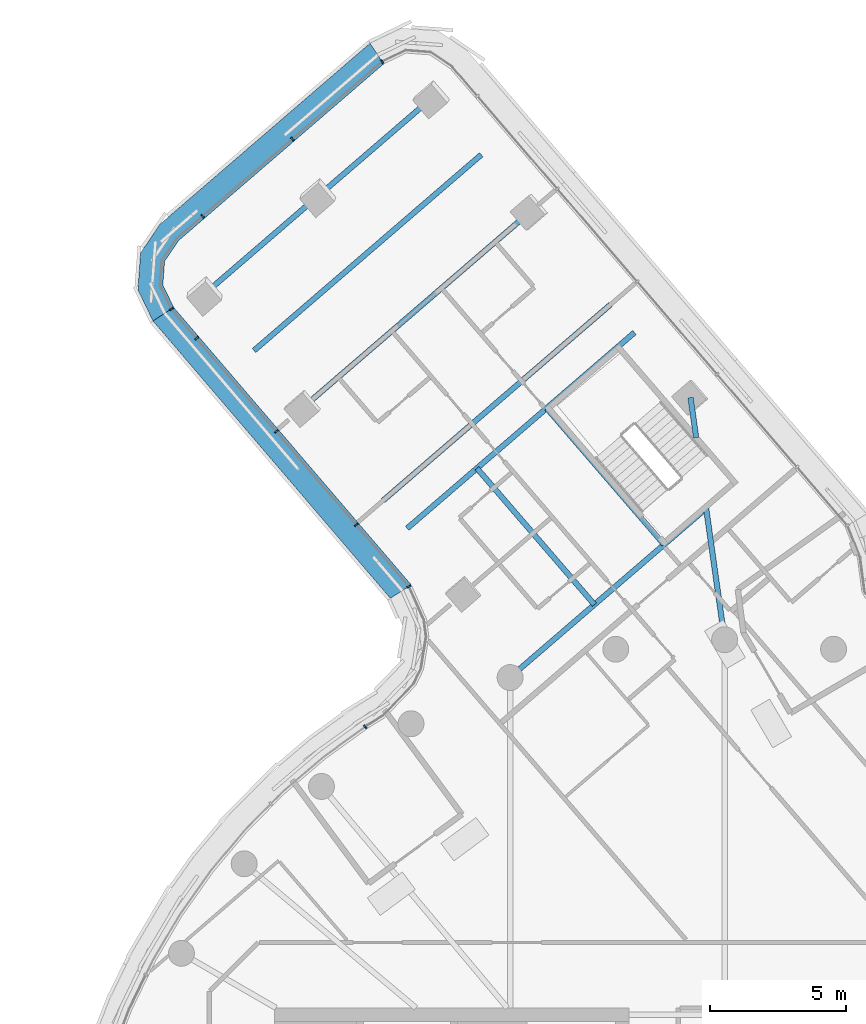
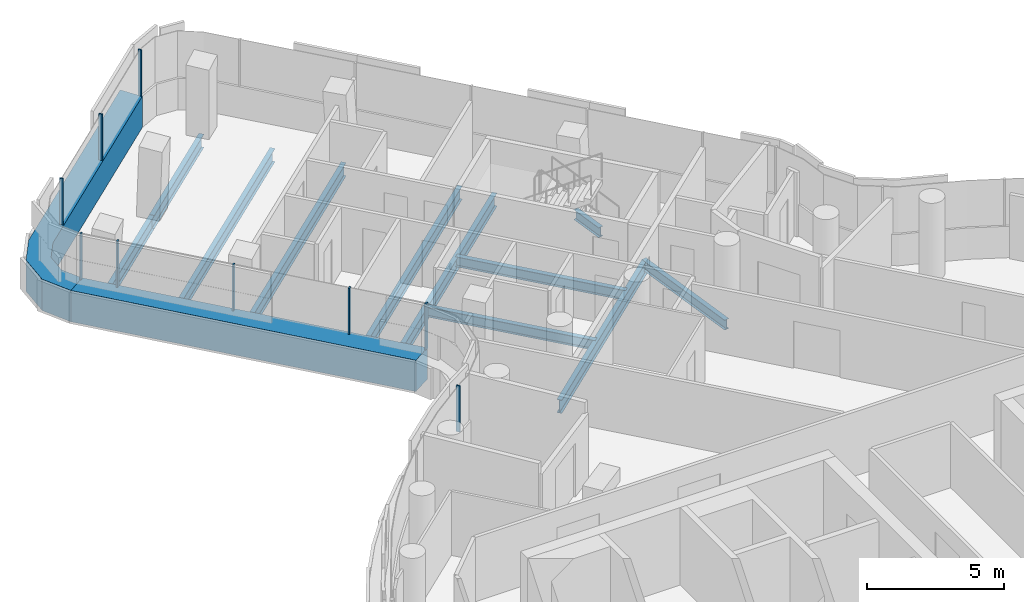
# One storey, part 15 of 34: 11 beams, 11 members, 3 elements without a shape of their own.
"""IFC4 building model written with IfcOpenShell, lengths in metres."""

import ifcopenshell
import ifcopenshell.guid

model = None  # the IFC model being written
_history = None  # IfcOwnerHistory: only IFC2X3 demands one
_inside = {}  # id of a spatial element -> (the spatial element, [elements in it])
_under = {}  # id of a project, library or spatial element -> (it, [spatial elements below it])
_declared = {}  # id of a project -> (the project, [libraries it declares])
_typed = {}  # id of a type object -> (the type object, [elements of that type])
_made_of = {}  # id of a material, layer set ... -> (it, [elements and type objects made of it])


def new_model(schema):
    """Start an empty IFC model of exactly this schema.

    Asked for "IFC4X3", IfcOpenShell would pick the latest addendum, in which some entities
    have other attributes; the version numbers below select the first issue.
    IFC2X3 requires an IfcOwnerHistory on every rooted entity: one is made here for all.
    """
    global model, _history
    if schema == "IFC4X3":
        model = ifcopenshell.file(schema_version=(4, 3, 0, 0))
    else:
        model = ifcopenshell.file(schema=schema)
    _inside.clear()
    _under.clear()
    _declared.clear()
    _typed.clear()
    _made_of.clear()
    _history = None
    if model.schema == "IFC2X3":
        org = make("IfcOrganization", Name="unknown")
        user = make(
            "IfcPersonAndOrganization",
            ThePerson=make("IfcPerson", FamilyName="unknown"),
            TheOrganization=org,
        )
        app = make(
            "IfcApplication",
            ApplicationDeveloper=org,
            Version="unknown",
            ApplicationFullName="unknown",
            ApplicationIdentifier="unknown",
        )
        _history = make(
            "IfcOwnerHistory",
            OwningUser=user,
            OwningApplication=app,
            ChangeAction="ADDED",
            CreationDate=0,
        )
    return model


def make(cls, **values):
    """One entity of the class cls with the attributes given. An attribute that is None is left unset."""
    return model.create_entity(
        cls, **{name: value for name, value in values.items() if value is not None}
    )


def rooted(cls, **values):
    """An entity with a GlobalId (a new one), such as an element, a storey or a relation."""
    return make(cls, GlobalId=ifcopenshell.guid.new(), OwnerHistory=_history, **values)


def si_unit(unit_type, name, prefix=None):
    """IfcSIUnit, for example si_unit("LENGTHUNIT", "METRE", prefix="MILLI")."""
    return make("IfcSIUnit", UnitType=unit_type, Prefix=prefix, Name=name)


def assignment(units):
    """IfcUnitAssignment: the units of a project."""
    return None if units is None else make("IfcUnitAssignment", Units=units)


def point(xyz):
    """IfcCartesianPoint."""
    return None if xyz is None else make("IfcCartesianPoint", Coordinates=xyz)


def direction(xyz):
    """IfcDirection."""
    return None if xyz is None else make("IfcDirection", DirectionRatios=xyz)


def frame(location, z_axis=None, x_axis=None):
    """IfcAxis2Placement3D, a coordinate frame: its origin and axes. An axis left out is left unset."""
    return make(
        "IfcAxis2Placement3D",
        Location=point(location),
        Axis=direction(z_axis),
        RefDirection=direction(x_axis),
    )


def frame_2d(location, x_axis=None):
    """IfcAxis2Placement2D, a coordinate frame in the plane: its origin and x axis."""
    return make(
        "IfcAxis2Placement2D", Location=point(location), RefDirection=direction(x_axis)
    )


def origin():
    """The frame at (0, 0, 0) with its axes left unset."""
    return frame((0.0, 0.0, 0.0))


def origin_2d():
    """The frame at (0, 0) in the plane with its x axis left unset."""
    return frame_2d((0.0, 0.0))


def place(relative_to, where):
    """IfcLocalPlacement: puts the frame where relative to a parent placement (None: the world)."""
    return make(
        "IfcLocalPlacement", PlacementRelTo=relative_to, RelativePlacement=where
    )


def context(
    kind, dimensions, precision=None, world=None, true_north=None, identifier=None
):
    """IfcGeometricRepresentationContext, for example the 3D "Model" context."""
    return make(
        "IfcGeometricRepresentationContext",
        ContextIdentifier=identifier,
        ContextType=kind,
        CoordinateSpaceDimension=dimensions,
        Precision=precision,
        WorldCoordinateSystem=world,
        TrueNorth=true_north,
    )


def subcontext(parent, identifier, kind, view, scale=None):
    """IfcGeometricRepresentationSubContext, for example "Body" below "Model"."""
    return make(
        "IfcGeometricRepresentationSubContext",
        ContextIdentifier=identifier,
        ContextType=kind,
        ParentContext=parent,
        TargetScale=scale,
        TargetView=view,
    )


def project(units=None, contexts=None):
    """IfcProject with its units and contexts."""
    return rooted(
        "IfcProject",
        Name="project",
        RepresentationContexts=contexts,
        UnitsInContext=assignment(units),
    )


def spatial(cls, under=None, at=None, **own):
    """A site, building, storey or space (cls), placed at a placement, below another one or the project."""
    s = rooted(cls, ObjectPlacement=at, **own)
    if under is not None:
        _under.setdefault(under.id(), (under, []))[1].append(s)
    return s


def polyline(points):
    """IfcPolyline through the points."""
    return make("IfcPolyline", Points=[point(p) for p in points])


def profile(cls, at=None, kind="AREA", **sizes):
    """A parametric profile (cls). Its sizes go by their IFC names, for example OverallWidth=200.0."""
    return make(cls, ProfileType=kind, Position=at, **sizes)


def rectangle(**sizes):
    """IfcRectangleProfileDef."""
    return profile("IfcRectangleProfileDef", **sizes)


def i_section(**sizes):
    """IfcIShapeProfileDef."""
    return profile("IfcIShapeProfileDef", **sizes)


def outline(outer, holes=None, kind="AREA"):
    """IfcArbitraryClosedProfileDef: a profile drawn as a closed curve; with holes, ...WithVoids."""
    if holes is None:
        return make("IfcArbitraryClosedProfileDef", ProfileType=kind, OuterCurve=outer)
    return make(
        "IfcArbitraryProfileDefWithVoids",
        ProfileType=kind,
        OuterCurve=outer,
        InnerCurves=holes,
    )


def extrude(swept, where, along, depth):
    """IfcExtrudedAreaSolid: the profile swept, set in the frame where, extruded along a direction by depth."""
    return make(
        "IfcExtrudedAreaSolid",
        SweptArea=swept,
        Position=where,
        ExtrudedDirection=direction(along),
        Depth=depth,
    )


def shape(context_of_items, identifier, shape_type, items):
    """IfcShapeRepresentation: the items that make up one representation, for example the "Body"."""
    return make(
        "IfcShapeRepresentation",
        ContextOfItems=context_of_items,
        RepresentationIdentifier=identifier,
        RepresentationType=shape_type,
        Items=items,
    )


def material(Name=None, Category=None):
    """IfcMaterial."""
    return make("IfcMaterial", Name=Name, Category=Category)


def layer(
    of_material, thickness, ventilated=None, Name=None, Category=None, Priority=None
):
    """IfcMaterialLayer: one layer of a wall or slab, of a material (None: an air gap)."""
    return make(
        "IfcMaterialLayer",
        Material=of_material,
        LayerThickness=thickness,
        IsVentilated=ventilated,
        Name=Name,
        Category=Category,
        Priority=Priority,
    )


def layer_set(layers, Name=None):
    """IfcMaterialLayerSet."""
    return make("IfcMaterialLayerSet", MaterialLayers=layers, LayerSetName=Name)


def material_profile(
    of_material, cross_section, Name=None, Category=None, Priority=None
):
    """IfcMaterialProfile: a cross section and its material."""
    return make(
        "IfcMaterialProfile",
        Name=Name,
        Material=of_material,
        Profile=cross_section,
        Priority=Priority,
        Category=Category,
    )


def profile_set(profiles, Name=None, composite=None):
    """IfcMaterialProfileSet."""
    return make(
        "IfcMaterialProfileSet",
        Name=Name,
        MaterialProfiles=profiles,
        CompositeProfile=composite,
    )


def made_of(thing, what):
    """Note that an element or type object is made of a material, layer set ...; save() writes the relation."""
    if what is not None:
        _made_of.setdefault(what.id(), (what, []))[1].append(thing)
    return thing


def type_object(cls, material=None, **own):
    """A type object (cls), such as IfcWallType, which elements share."""
    return made_of(rooted(cls, **own), material)


def element(
    cls,
    number,
    at=None,
    inside=None,
    cuts=None,
    type_object=None,
    material=None,
    context=None,
    identifier="Body",
    shape_type=None,
    held_by="IfcProductDefinitionShape",
    body=None,
    shapes=None,
    **own,
):
    """One element of the class cls, such as IfcWall. Its Tag is "e" and its number.

    at: its placement. inside: the storey or other place that contains it. cuts: it is an
    opening in that element (IfcRelVoidsElement). A single representation is given by context,
    identifier, shape_type and body (its items); several are given by shapes. held_by: the class
    of the entity that holds the representations. save() writes the other relations.
    """
    e = rooted(cls, Tag="e%d" % number, ObjectPlacement=at, **own)
    if body is not None:
        shapes = [shape(context, identifier, shape_type, body)]
    if shapes is not None:
        e.Representation = make(held_by, Representations=shapes)
    if inside is not None:
        _inside.setdefault(inside.id(), (inside, []))[1].append(e)
    if cuts is not None:
        rooted(
            "IfcRelVoidsElement", RelatingBuildingElement=cuts, RelatedOpeningElement=e
        )
    if type_object is not None:
        _typed.setdefault(type_object.id(), (type_object, []))[1].append(e)
    return made_of(e, material)


def aggregate(whole, parts):
    """IfcRelAggregates: a whole, such as a stair, and the parts it consists of."""
    return rooted("IfcRelAggregates", RelatingObject=whole, RelatedObjects=parts)


def save(model, path):
    """Write the relations noted so far, then the file.

    IfcRelAggregates (storeys below a building ...), IfcRelContainedInSpatialStructure (elements
    in a storey), IfcRelDefinesByType, IfcRelAssociatesMaterial and IfcRelDeclares: one each for
    every whole, place, type object, material and project.
    """
    for whole, parts in _under.values():
        aggregate(whole, parts)
    for where, things in _inside.values():
        rooted(
            "IfcRelContainedInSpatialStructure",
            RelatedElements=things,
            RelatingStructure=where,
        )
    for kind, things in _typed.values():
        rooted("IfcRelDefinesByType", RelatedObjects=things, RelatingType=kind)
    for what, things in _made_of.values():
        rooted("IfcRelAssociatesMaterial", RelatedObjects=things, RelatingMaterial=what)
    for by, libraries in _declared.values():
        rooted("IfcRelDeclares", RelatingContext=by, RelatedDefinitions=libraries)
    model.write(path)


model = new_model("IFC4")

# Units and contexts
model_context = context("Model", 3, precision=1e-05, world=origin(), true_north=direction((0.0, 1.0)))
body_context = subcontext(model_context, "Body", "Model", "MODEL_VIEW")
ifc_project = project(units=[si_unit("LENGTHUNIT", "METRE"), si_unit("AREAUNIT", "SQUARE_METRE"), si_unit("VOLUMEUNIT", "CUBIC_METRE"), si_unit("PLANEANGLEUNIT", "RADIAN"), si_unit("MASSUNIT", "GRAM", prefix="KILO")], contexts=[model_context])

# Site, building, storey
site_placement = place(None, origin())
site = spatial("IfcSite", under=ifc_project, at=site_placement, CompositionType="ELEMENT")
building_placement = place(site_placement, origin())
building = spatial("IfcBuilding", under=site, at=building_placement, Name="Tamarind Cross Interchange Tower", CompositionType="ELEMENT")
storey_placement = place(building_placement, frame((0.0, 0.0, 182.5)))
storey = spatial("IfcBuildingStorey", under=building, at=storey_placement, Name="L45", CompositionType="ELEMENT", Elevation=182.5)

# Beams
ifc_material_1 = material(Name="Steel Q355B", Category="steel")
ifc_material_profile_1 = material_profile(ifc_material_1, i_section(OverallWidth=0.198974609375, OverallDepth=0.446044921875, WebThickness=0.008056640625, FlangeThickness=0.011962890625, FilletRadius=0.012939453125, at=origin_2d()), Name="HN 446x199x8x12")
ifc_profile_set_1 = profile_set([ifc_material_profile_1], Name="Steel Q355B")
beam_type_1 = type_object("IfcBeamType", Name="Composite beam HN 446x199x8x12 Q355B", PredefinedType="BEAM", material=ifc_profile_set_1)
beam_1_placement = place(storey_placement, frame((-1.250732421875, 31.8779296875, -0.363037109375), z_axis=(0.13943433838, -0.990231319077, 0.0), x_axis=(0.990231319077, 0.13943433838, 0.0)))
element("IfcBeam", 1, at=beam_1_placement, inside=storey, type_object=beam_type_1, Name="Beam N-linkemt0", PredefinedType="BEAM", context=body_context, shape_type="SweptSolid", body=[
    extrude(i_section(OverallWidth=0.198974609375, OverallDepth=0.446044921875, WebThickness=0.008056640625, FlangeThickness=0.011962890625, FilletRadius=0.012939453125, at=origin_2d()), origin(), (0.0, 0.0, 1.0), 1.4794921875),
])
beam_2_placement = place(storey_placement, frame((-0.68701171875, 27.8759765625, -0.363037109375), z_axis=(0.139519191829, -0.990219367166, 0.0), x_axis=(0.990219367166, 0.139519191829, 0.0)))
element("IfcBeam", 2, at=beam_2_placement, inside=storey, type_object=beam_type_1, Name="Beam N-linkemt1", PredefinedType="BEAM", context=body_context, shape_type="SweptSolid", body=[
    extrude(i_section(OverallWidth=0.198974609375, OverallDepth=0.446044921875, WebThickness=0.008056640625, FlangeThickness=0.011962890625, FilletRadius=0.012939453125, at=origin_2d()), origin(), (0.0, 0.0, 1.0), 4.924072265625),
])
beam_3_placement = place(storey_placement, frame((-2.21875, 26.490234375, -0.363037109375), z_axis=(-0.652705432559, 0.757611786015, 0.0), x_axis=(-0.757611786015, -0.652705432559, 0.0)))
element("IfcBeam", 3, at=beam_3_placement, inside=storey, type_object=beam_type_1, Name="Beam N-tr1", PredefinedType="BEAM", context=body_context, shape_type="SweptSolid", body=[
    extrude(i_section(OverallWidth=0.198974609375, OverallDepth=0.446044921875, WebThickness=0.008056640625, FlangeThickness=0.011962890625, FilletRadius=0.012939453125, at=origin_2d()), origin(), (0.0, 0.0, 1.0), 6.60009765625),
])
beam_4_placement = place(storey_placement, frame((-4.775634765625, 24.287353515625, -0.363037109375), z_axis=(-0.65272372481, 0.757596026303, 0.0), x_axis=(-0.757596026303, -0.65272372481, 0.0)))
element("IfcBeam", 4, at=beam_4_placement, inside=storey, type_object=beam_type_1, Name="Beam N-stripp", PredefinedType="BEAM", context=body_context, shape_type="SweptSolid", body=[
    extrude(i_section(OverallWidth=0.198974609375, OverallDepth=0.446044921875, WebThickness=0.008056640625, FlangeThickness=0.011962890625, FilletRadius=0.012939453125, at=origin_2d()), origin(), (0.0, 0.0, 1.0), 6.599853515625),
])
ifc_material_profile_2 = material_profile(ifc_material_1, i_section(OverallWidth=0.198974609375, OverallDepth=0.595947265625, WebThickness=0.010009765625, FlangeThickness=0.014892578125, FilletRadius=0.012939453125, at=origin_2d()), Name="HN 596x199x10x15")
ifc_profile_set_2 = profile_set([ifc_material_profile_2], Name="Steel Q355B")
beam_type_2 = type_object("IfcBeamType", Name="Composite beam HN 596x199x10x15 Q355B", PredefinedType="BEAM", material=ifc_profile_set_2)
for number, where, z_axis, x_axis, name in (
    (5, (-10.723876953125, 42.873046875, -0.43798828125), (-0.757584038175, -0.652737638798, 0.0), (0.652737638798, -0.757584038175, 0.0), "Beam N-tip0"),
    (6, (-14.890625, 39.282958984375, -0.43798828125), (-0.757605988816, -0.652712161455, 0.0), (0.652712161455, -0.757605988816, 0.0), "Beam N-tip1"),
):
    element("IfcBeam", number, at=place(storey_placement, frame(where, z_axis=z_axis, x_axis=x_axis)), inside=storey, type_object=beam_type_2, Name=name, PredefinedType="BEAM", context=body_context, shape_type="SweptSolid", body=[
        extrude(i_section(OverallWidth=0.198974609375, OverallDepth=0.595947265625, WebThickness=0.010009765625, FlangeThickness=0.014892578125, FilletRadius=0.012939453125, at=origin_2d()), origin(), (0.0, 0.0, 1.0), 5.5),
    ])
beam_5_placement = place(storey_placement, frame((-0.6787109375, 27.817138671875, -0.43798828125), z_axis=(-0.75759675592, -0.652722877966, 0.0), x_axis=(0.652722877966, -0.75759675592, 0.0)))
element("IfcBeam", 7, at=beam_5_placement, inside=storey, type_object=beam_type_2, Name="Beam N-x268", PredefinedType="BEAM", context=body_context, shape_type="SweptSolid", body=[
    extrude(i_section(OverallWidth=0.198974609375, OverallDepth=0.595947265625, WebThickness=0.010009765625, FlangeThickness=0.014892578125, FilletRadius=0.012939453125, at=origin_2d()), origin(), (0.0, 0.0, 1.0), 9.493408203125),
])
for number, where, z_axis, x_axis, name in (
    (8, (-3.306884765625, 34.264404296875, -0.43798828125), (-0.757595013443, -0.652724900403, 0.0), (0.652724900403, -0.757595013443, 0.0), "Beam N-x334"),
    (9, (-7.125244140625, 38.6962890625, -0.43798828125), (-0.757604469266, -0.652713925198, 0.0), (0.652713925198, -0.757604469266, 0.0), "Beam N-x393"),
    (10, (-4.18798828125, 35.287109375, -0.43798828125), (-0.757604469266, -0.652713925198, 0.0), (0.652713925198, -0.757604469266, 0.0), "Beam N-x348"),
    (11, (-8.924560546875, 40.78466796875, -0.43798828125), (-0.757595013443, -0.652724900403, 0.0), (0.652724900403, -0.757595013443, 0.0), "Beam N-x421"),
):
    element("IfcBeam", number, at=place(storey_placement, frame(where, z_axis=z_axis, x_axis=x_axis)), inside=storey, type_object=beam_type_2, Name=name, PredefinedType="BEAM", context=body_context, shape_type="SweptSolid", body=[
        extrude(i_section(OverallWidth=0.198974609375, OverallDepth=0.595947265625, WebThickness=0.010009765625, FlangeThickness=0.014892578125, FilletRadius=0.012939453125, at=origin_2d()), origin(), (0.0, 0.0, 1.0), 11.0),
    ])

# Curtain wall, member
ifc_material_2 = material(Name="Aluminium 6063-T6", Category="aluminium")
ifc_layer_1 = layer(ifc_material_2, 0.139892578125)
ifc_layer_set_1 = layer_set([ifc_layer_1], Name="Aluminium 6063-T6")
curtain_wall_type_1 = type_object("IfcCurtainWallType", Name="Hotel curtain wall, 4.5 m bays", PredefinedType="NOTDEFINED", material=ifc_layer_set_1)
curtain_wall_1_placement = place(storey_placement, origin())
curtain_wall_1 = element("IfcCurtainWall", 12, at=curtain_wall_1_placement, inside=storey, type_object=curtain_wall_type_1, Name="CWS-L45-00", PredefinedType="NOTDEFINED")
ifc_material_3 = material(Name="Aluminium and insulated spandrel panel", Category="aluminium")
member_type_1 = type_object("IfcMemberType", Name="Floor-edge blade transom", PredefinedType="USERDEFINED", material=ifc_material_3)
member_1_placement = place(storey_placement, origin())
member_1 = element("IfcMember", 13, at=member_1_placement, type_object=member_type_1, Name="CWT-L45-00", ObjectType="TRANSOM", PredefinedType="USERDEFINED", context=body_context, shape_type="SweptSolid", body=[
    extrude(outline(polyline([(-12.5048828125, 44.11376953125), (-20.02099609375, 37.63818359375), (-20.5361328125, 36.88134765625), (-20.60107421875, 36.00927734375), (-20.203125, 35.184326171875), (-20.962890625, 34.68798828125), (-21.516357421875, 35.835693359375), (-21.415771484375, 37.188720703125), (-20.6982421875, 38.24267578125), (-13.00244140625, 44.873046875), (-12.5048828125, 44.11376953125)])), origin(), (0.0, 0.0, 1.0), 1.39990234375),
])

curtain_wall_2_placement = place(storey_placement, origin())
curtain_wall_2 = element("IfcCurtainWall", 14, at=curtain_wall_2_placement, inside=storey, type_object=curtain_wall_type_1, Name="CWS-L45-01", PredefinedType="NOTDEFINED")
member_2_placement = place(storey_placement, origin())
member_2 = element("IfcMember", 15, at=member_2_placement, type_object=member_type_1, Name="CWT-L45-01", ObjectType="TRANSOM", PredefinedType="USERDEFINED", context=body_context, shape_type="SweptSolid", body=[
    extrude(outline(polyline([(-20.203125, 35.184326171875), (-11.488525390625, 25.00537109375), (-12.2568359375, 24.51904296875), (-20.962890625, 34.68798828125), (-20.203125, 35.184326171875)])), origin(), (0.0, 0.0, 1.0), 1.39990234375),
])

# Member
ifc_material_profile_3 = material_profile(ifc_material_2, rectangle(XDim=0.06005859375, YDim=0.139892578125, at=origin_2d()), Name="Mullion CW2")
ifc_profile_set_3 = profile_set([ifc_material_profile_3], Name="Aluminium 6063-T6")
member_type_2 = type_object("IfcMemberType", Name="Mullion CW2", PredefinedType="MULLION", material=ifc_profile_set_3)
member_3_placement = place(storey_placement, frame((-12.56005859375, 44.197998046875, 1.39990234375), z_axis=(0.0, 0.0, 1.0), x_axis=(-0.836312949511, -0.548252360214, 0.0)))
member_3 = element("IfcMember", 16, at=member_3_placement, type_object=member_type_2, Name="CWM-L45-00-00", PredefinedType="MULLION", context=body_context, shape_type="SweptSolid", body=[
    extrude(rectangle(XDim=0.06005859375, YDim=0.139892578125, at=origin_2d()), origin(), (0.0, 0.0, 1.0), 2.06005859375),
])

member_4_placement = place(storey_placement, frame((-15.852294921875, 41.361572265625, 1.39990234375), z_axis=(0.0, 0.0, 1.0), x_axis=(-0.757596883339, -0.652722730074, 0.0)))
member_4 = element("IfcMember", 17, at=member_4_placement, type_object=member_type_2, Name="CWM-L45-00-01", PredefinedType="MULLION", context=body_context, shape_type="SweptSolid", body=[
    extrude(rectangle(XDim=0.06005859375, YDim=0.139892578125, at=origin_2d()), origin(), (0.0, 0.0, 1.0), 2.06005859375),
])

member_5_placement = place(storey_placement, frame((-19.14453125, 38.525146484375, 1.39990234375), z_axis=(0.0, 0.0, 1.0), x_axis=(-0.757596883339, -0.652722730074, 0.0)))
member_5 = element("IfcMember", 18, at=member_5_placement, type_object=member_type_2, Name="CWM-L45-00-02", PredefinedType="MULLION", context=body_context, shape_type="SweptSolid", body=[
    extrude(rectangle(XDim=0.06005859375, YDim=0.139892578125, at=origin_2d()), origin(), (0.0, 0.0, 1.0), 2.06005859375),
])

aggregate(curtain_wall_1, [member_3, member_4, member_5, member_1])

member_6_placement = place(storey_placement, frame((-20.28759765625, 35.129150390625, 1.39990234375), z_axis=(0.0, 0.0, 1.0), x_axis=(0.546948340065, -0.837166359394, 0.0)))
member_6 = element("IfcMember", 19, at=member_6_placement, type_object=member_type_2, Name="CWM-L45-01-00", PredefinedType="MULLION", context=body_context, shape_type="SweptSolid", body=[
    extrude(rectangle(XDim=0.06005859375, YDim=0.139892578125, at=origin_2d()), origin(), (0.0, 0.0, 1.0), 2.06005859375),
])

member_7_placement = place(storey_placement, frame((-19.366943359375, 34.0537109375, 1.39990234375), z_axis=(0.0, 0.0, 1.0), x_axis=(0.650358204159, -0.759627676091, 0.0)))
member_7 = element("IfcMember", 20, at=member_7_placement, type_object=member_type_2, Name="CWM-L45-01-01", PredefinedType="MULLION", context=body_context, shape_type="SweptSolid", body=[
    extrude(rectangle(XDim=0.06005859375, YDim=0.139892578125, at=origin_2d()), origin(), (0.0, 0.0, 1.0), 2.06005859375),
])

member_8_placement = place(storey_placement, frame((-16.439697265625, 30.634765625, 1.39990234375), z_axis=(0.0, 0.0, 1.0), x_axis=(0.650358204159, -0.759627676091, 0.0)))
member_8 = element("IfcMember", 21, at=member_8_placement, type_object=member_type_2, Name="CWM-L45-01-02", PredefinedType="MULLION", context=body_context, shape_type="SweptSolid", body=[
    extrude(rectangle(XDim=0.06005859375, YDim=0.139892578125, at=origin_2d()), origin(), (0.0, 0.0, 1.0), 2.06005859375),
])

member_9_placement = place(storey_placement, frame((-13.512451171875, 27.215576171875, 1.39990234375), z_axis=(0.0, 0.0, 1.0), x_axis=(0.650358204159, -0.759627676091, 0.0)))
member_9 = element("IfcMember", 22, at=member_9_placement, type_object=member_type_2, Name="CWM-L45-01-03", PredefinedType="MULLION", context=body_context, shape_type="SweptSolid", body=[
    extrude(rectangle(XDim=0.06005859375, YDim=0.139892578125, at=origin_2d()), origin(), (0.0, 0.0, 1.0), 2.06005859375),
])

aggregate(curtain_wall_2, [member_6, member_7, member_8, member_9, member_2])

# Curtain wall, members
ifc_layer_2 = layer(ifc_material_2, 0.14990234375)
ifc_layer_set_2 = layer_set([ifc_layer_2], Name="Aluminium 6063-T6")
curtain_wall_type_2 = type_object("IfcCurtainWallType", Name="Winter garden and crown curtain wall", PredefinedType="NOTDEFINED", material=ifc_layer_set_2)
curtain_wall_3_placement = place(storey_placement, origin())
curtain_wall_3 = element("IfcCurtainWall", 23, at=curtain_wall_3_placement, inside=storey, type_object=curtain_wall_type_2, Name="CWS-L45-02", PredefinedType="NOTDEFINED")
ifc_material_profile_4 = material_profile(ifc_material_2, rectangle(XDim=0.06005859375, YDim=0.14990234375, at=origin_2d()), Name="Mullion CW6")
ifc_profile_set_4 = profile_set([ifc_material_profile_4], Name="Aluminium 6063-T6")
member_type_3 = type_object("IfcMemberType", Name="Mullion CW6", PredefinedType="MULLION", material=ifc_profile_set_4)
member_10_placement = place(storey_placement, frame((-11.57373046875, 24.951416015625, 1.39990234375), z_axis=(0.0, 0.0, 1.0), x_axis=(0.534766784013, -0.844999696282, 0.0)))
member_10 = element("IfcMember", 24, at=member_10_placement, type_object=member_type_3, Name="CWM-L45-02-00", PredefinedType="MULLION", context=body_context, shape_type="SweptSolid", body=[
    extrude(rectangle(XDim=0.06005859375, YDim=0.14990234375, at=origin_2d()), origin(), (0.0, 0.0, 1.0), 2.06005859375),
])
member_11_placement = place(storey_placement, frame((-13.181884765625, 19.806396484375, 1.39990234375), z_axis=(0.0, 0.0, 1.0), x_axis=(-0.811340475102, -0.584573890505, 0.0)))
member_11 = element("IfcMember", 25, at=member_11_placement, type_object=member_type_3, Name="CWM-L45-02-01", PredefinedType="MULLION", context=body_context, shape_type="SweptSolid", body=[
    extrude(rectangle(XDim=0.06005859375, YDim=0.14990234375, at=origin_2d()), origin(), (0.0, 0.0, 1.0), 2.06005859375),
])
aggregate(curtain_wall_3, [member_10, member_11])

save(model, "model.ifc")
